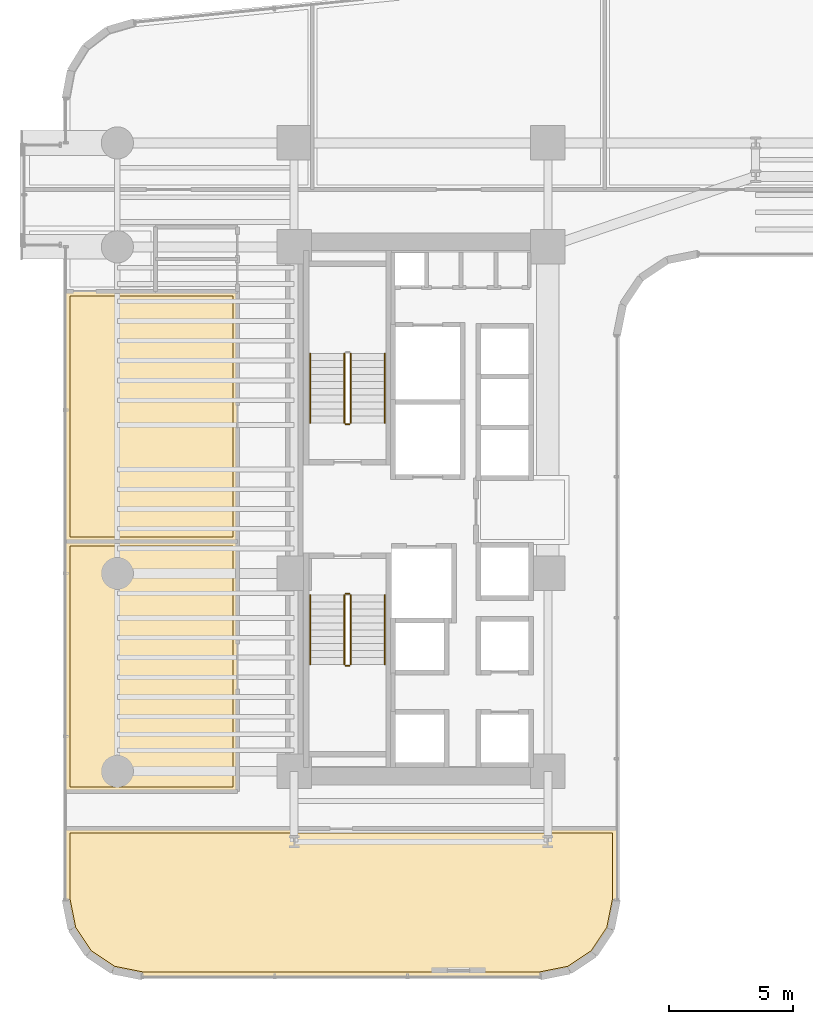
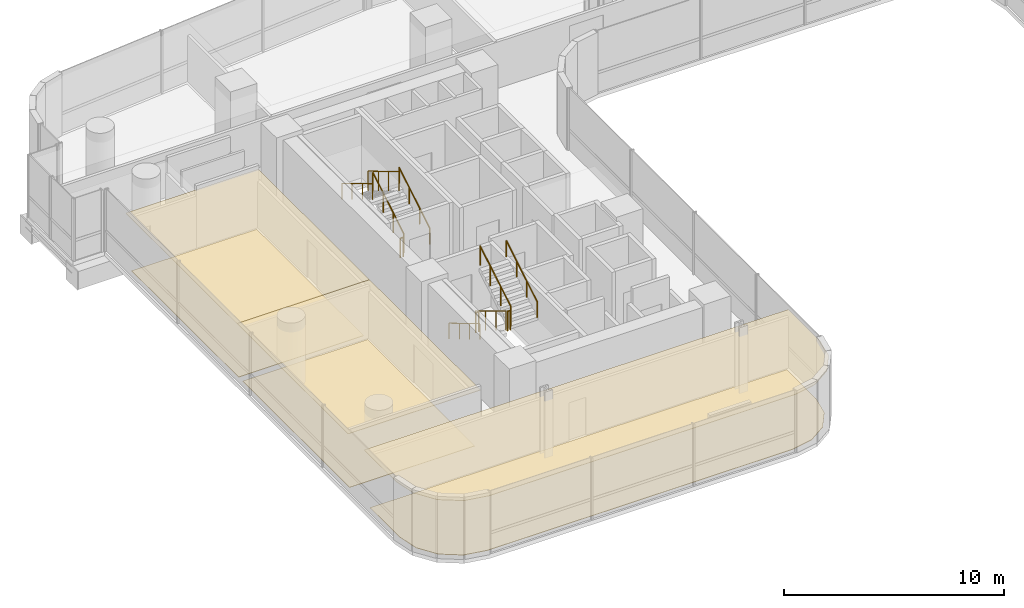
# One storey, part 37 of 40: 11 railings, 6 coverings.
"""IFC4 building model written with IfcOpenShell, lengths in metres."""

from ifc_helpers import new_model, si_unit, direction, frame, origin, origin_2d, place, context, subcontext, project, spatial, polyline, circle, outline, extrude, material, layer, layer_set, type_object, element, save


model = new_model("IFC4")

# Units and contexts
model_context = context("Model", 3, precision=1e-05, world=origin(), true_north=direction((0.0, 1.0)))
body_context = subcontext(model_context, "Body", "Model", "MODEL_VIEW")
ifc_project = project(units=[si_unit("LENGTHUNIT", "METRE"), si_unit("AREAUNIT", "SQUARE_METRE"), si_unit("VOLUMEUNIT", "CUBIC_METRE"), si_unit("PLANEANGLEUNIT", "RADIAN"), si_unit("MASSUNIT", "GRAM", prefix="KILO")], contexts=[model_context])

# Site, building, storey
site_placement = place(None, origin())
site = spatial("IfcSite", under=ifc_project, at=site_placement, CompositionType="ELEMENT")
building_placement = place(site_placement, origin())
building = spatial("IfcBuilding", under=site, at=building_placement, Name="Valdorenza Pilgrim Sanctuary Tower", CompositionType="ELEMENT")
storey_placement = place(building_placement, frame((0.0, 0.0, 48.199951171875)))
storey = spatial("IfcBuildingStorey", under=building, at=storey_placement, Name="L11", CompositionType="ELEMENT", Elevation=48.199951171875)

# Coverings
ifc_material_1 = material(Name="Micro-perforated acoustic mineral ceiling tile", Category="gypsum")
ifc_layer_1 = layer(ifc_material_1, 0.02490234375, Name="Micro-perforated acoustic mineral ceiling tile")
ifc_layer_set_1 = layer_set([ifc_layer_1], Name="Micro-perforated acoustic mineral ceiling tile")
covering_type_1 = type_object("IfcCoveringType", Name="COV-CLG-ACU", PredefinedType="CEILING", material=ifc_layer_set_1)
covering_1_placement = place(storey_placement, frame((0.0, 0.0, 3.16015625)))
element("IfcCovering", 1, at=covering_1_placement, inside=storey, type_object=covering_type_1, Name="L11 Sacred Art Exhibition Gallery L11-W1 Acoustic Ceiling", PredefinedType="CEILING", context=body_context, shape_type="SweptSolid", body=[
    extrude(outline(polyline([(-24.93505859375, -11.419921875), (-24.93505859375, -11.42138671875), (-24.935302734375, -11.4228515625), (-24.935546875, -11.42431640625), (-24.93603515625, -11.42578125), (-24.936767578125, -11.427001953125), (-24.9375, -11.42822265625), (-24.9384765625, -11.429443359375), (-24.939453125, -11.4306640625), (-24.9404296875, -11.431640625), (-24.941650390625, -11.4326171875), (-24.94287109375, -11.43310546875), (-24.9443359375, -11.433837890625), (-24.945556640625, -11.434326171875), (-24.947021484375, -11.434814453125), (-24.948486328125, -11.434814453125), (-24.949951171875, -11.43505859375), (-31.889892578125, -11.43505859375), (-31.8916015625, -11.434814453125), (-31.892822265625, -11.434814453125), (-31.894287109375, -11.434326171875), (-31.895751953125, -11.433837890625), (-31.897216796875, -11.43310546875), (-31.898193359375, -11.4326171875), (-31.8994140625, -11.431640625), (-31.900634765625, -11.4306640625), (-31.901611328125, -11.429443359375), (-31.902587890625, -11.42822265625), (-31.9033203125, -11.427001953125), (-31.90380859375, -11.42578125), (-31.904296875, -11.42431640625), (-31.90478515625, -11.4228515625), (-31.90478515625, -11.42138671875), (-31.905029296875, -11.419921875), (-31.905029296875, -1.31005859375), (-31.90478515625, -1.30859375), (-31.90478515625, -1.30712890625), (-31.904296875, -1.3056640625), (-31.90380859375, -1.30419921875), (-31.9033203125, -1.302978515625), (-31.902587890625, -1.3017578125), (-31.901611328125, -1.300537109375), (-31.900634765625, -1.29931640625), (-31.8994140625, -1.29833984375), (-31.898193359375, -1.297607421875), (-31.897216796875, -1.296875), (-31.895751953125, -1.296142578125), (-31.894287109375, -1.295654296875), (-31.892822265625, -1.29541015625), (-31.8916015625, -1.295166015625), (-31.889892578125, -1.294921875), (-24.949951171875, -1.294921875), (-24.948486328125, -1.295166015625), (-24.947021484375, -1.29541015625), (-24.945556640625, -1.295654296875), (-24.9443359375, -1.296142578125), (-24.94287109375, -1.296875), (-24.941650390625, -1.297607421875), (-24.9404296875, -1.29833984375), (-24.939453125, -1.29931640625), (-24.9384765625, -1.300537109375), (-24.9375, -1.3017578125), (-24.936767578125, -1.302978515625), (-24.93603515625, -1.30419921875), (-24.935546875, -1.3056640625), (-24.935302734375, -1.30712890625), (-24.93505859375, -1.30859375), (-24.93505859375, -1.31005859375), (-24.93505859375, -11.419921875)])), origin(), (0.0, 0.0, 1.0), 0.02490234375),
])
covering_2_placement = place(storey_placement, frame((0.0, 0.0, 3.16015625)))
element("IfcCovering", 2, at=covering_2_placement, inside=storey, type_object=covering_type_1, Name="L11 Sacred Manuscript Archive L11-W2 Acoustic Ceiling", PredefinedType="CEILING", context=body_context, shape_type="SweptSolid", body=[
    extrude(outline(polyline([(-28.253662109375, 8.81298828125), (-28.253173828125, 8.81298828125), (-28.25146484375, 8.813232421875), (-28.25, 8.813232421875), (-28.24853515625, 8.81298828125), (-28.248291015625, 8.81298828125), (-24.949951171875, 8.81298828125), (-24.948486328125, 8.81298828125), (-24.947021484375, 8.812744140625), (-24.945556640625, 8.8125), (-24.9443359375, 8.81201171875), (-24.94287109375, 8.811279296875), (-24.941650390625, 8.810546875), (-24.9404296875, 8.8095703125), (-24.939453125, 8.80859375), (-24.9384765625, 8.8076171875), (-24.9375, 8.806396484375), (-24.936767578125, 8.80517578125), (-24.93603515625, 8.8037109375), (-24.935546875, 8.802490234375), (-24.935302734375, 8.80078125), (-24.93505859375, 8.799560546875), (-24.93505859375, 8.798095703125), (-24.93505859375, -1.30810546875), (-24.93505859375, -1.3095703125), (-24.935302734375, -1.310791015625), (-24.935546875, -1.3125), (-24.93603515625, -1.313720703125), (-24.936767578125, -1.315185546875), (-24.9375, -1.31640625), (-24.9384765625, -1.3173828125), (-24.939453125, -1.318603515625), (-24.9404296875, -1.319580078125), (-24.941650390625, -1.320556640625), (-24.94287109375, -1.3212890625), (-24.9443359375, -1.322021484375), (-24.945556640625, -1.322509765625), (-24.947021484375, -1.32275390625), (-24.948486328125, -1.322998046875), (-24.949951171875, -1.322998046875), (-31.889892578125, -1.322998046875), (-31.8916015625, -1.322998046875), (-31.892822265625, -1.32275390625), (-31.894287109375, -1.322509765625), (-31.895751953125, -1.322021484375), (-31.897216796875, -1.3212890625), (-31.898193359375, -1.320556640625), (-31.8994140625, -1.319580078125), (-31.900634765625, -1.318603515625), (-31.901611328125, -1.3173828125), (-31.902587890625, -1.31640625), (-31.9033203125, -1.315185546875), (-31.90380859375, -1.313720703125), (-31.904296875, -1.3125), (-31.90478515625, -1.310791015625), (-31.90478515625, -1.3095703125), (-31.905029296875, -1.30810546875), (-31.905029296875, 8.798095703125), (-31.90478515625, 8.799560546875), (-31.90478515625, 8.80078125), (-31.904296875, 8.802490234375), (-31.90380859375, 8.8037109375), (-31.9033203125, 8.80517578125), (-31.902587890625, 8.806396484375), (-31.901611328125, 8.8076171875), (-31.900634765625, 8.80859375), (-31.8994140625, 8.8095703125), (-31.898193359375, 8.810546875), (-31.897216796875, 8.811279296875), (-31.895751953125, 8.81201171875), (-31.894287109375, 8.8125), (-31.892822265625, 8.812744140625), (-31.8916015625, 8.81298828125), (-31.889892578125, 8.81298828125), (-28.253662109375, 8.81298828125)])), origin(), (0.0, 0.0, 1.0), 0.02490234375),
])
covering_3_placement = place(storey_placement, frame((0.0, 0.0, 3.16015625)))
element("IfcCovering", 3, at=covering_3_placement, inside=storey, type_object=covering_type_1, Name="L11 Pilgrim Scholar Office L11-S1 Acoustic Ceiling", PredefinedType="CEILING", context=body_context, shape_type="SweptSolid", body=[
    extrude(outline(polyline([(-9.594970703125, -15.789306640625), (-9.59521484375, -15.79052734375), (-9.59521484375, -15.7919921875), (-9.83251953125, -16.984619140625), (-9.8330078125, -16.986083984375), (-9.83349609375, -16.9873046875), (-9.833984375, -16.98876953125), (-9.834716796875, -16.989990234375), (-10.504150390625, -17.99169921875), (-10.5048828125, -17.992919921875), (-10.506103515625, -17.993896484375), (-10.507080078125, -17.9951171875), (-10.50830078125, -17.995849609375), (-11.510009765625, -18.665283203125), (-11.51123046875, -18.666015625), (-11.5126953125, -18.66650390625), (-11.513916015625, -18.6669921875), (-11.515380859375, -18.66748046875), (-12.7080078125, -18.90478515625), (-12.70947265625, -18.90478515625), (-12.710693359375, -18.905029296875), (-28.789306640625, -18.905029296875), (-28.79052734375, -18.90478515625), (-28.7919921875, -18.90478515625), (-29.984619140625, -18.66748046875), (-29.986083984375, -18.6669921875), (-29.9873046875, -18.66650390625), (-29.98876953125, -18.666015625), (-29.989990234375, -18.665283203125), (-30.99169921875, -17.995849609375), (-30.992919921875, -17.9951171875), (-30.993896484375, -17.993896484375), (-30.9951171875, -17.992919921875), (-30.995849609375, -17.99169921875), (-31.665283203125, -16.989990234375), (-31.666015625, -16.98876953125), (-31.66650390625, -16.9873046875), (-31.6669921875, -16.986083984375), (-31.66748046875, -16.984619140625), (-31.90478515625, -15.7919921875), (-31.90478515625, -15.79052734375), (-31.905029296875, -15.789306640625), (-31.905029296875, -12.919921875), (-31.90478515625, -12.91845703125), (-31.90478515625, -12.9169921875), (-31.904296875, -12.91552734375), (-31.90380859375, -12.914306640625), (-31.9033203125, -12.912841796875), (-31.902587890625, -12.91162109375), (-31.901611328125, -12.910400390625), (-31.900634765625, -12.909423828125), (-31.8994140625, -12.908447265625), (-31.898193359375, -12.907470703125), (-31.897216796875, -12.90673828125), (-31.895751953125, -12.906005859375), (-31.894287109375, -12.905517578125), (-31.892822265625, -12.9052734375), (-31.8916015625, -12.905029296875), (-31.889892578125, -12.905029296875), (-9.610107421875, -12.905029296875), (-9.6083984375, -12.905029296875), (-9.607177734375, -12.9052734375), (-9.605712890625, -12.905517578125), (-9.604248046875, -12.906005859375), (-9.602783203125, -12.90673828125), (-9.601806640625, -12.907470703125), (-9.6005859375, -12.908447265625), (-9.599365234375, -12.909423828125), (-9.598388671875, -12.910400390625), (-9.597412109375, -12.91162109375), (-9.5966796875, -12.912841796875), (-9.59619140625, -12.914306640625), (-9.595703125, -12.91552734375), (-9.59521484375, -12.9169921875), (-9.59521484375, -12.91845703125), (-9.594970703125, -12.919921875), (-9.594970703125, -15.789306640625)])), origin(), (0.0, 0.0, 1.0), 0.02490234375),
])
ifc_material_2 = material(Name="Honed travertine stone flooring", Category="masonry")
ifc_layer_2 = layer(ifc_material_2, 0.030029296875, Name="Honed travertine stone flooring")
ifc_layer_set_2 = layer_set([ifc_layer_2], Name="Honed travertine stone flooring")
covering_type_2 = type_object("IfcCoveringType", Name="COV-FLR-TRV", PredefinedType="FLOORING", material=ifc_layer_set_2)
covering_4_placement = place(storey_placement, origin())
element("IfcCovering", 4, at=covering_4_placement, inside=storey, type_object=covering_type_2, Name="L11 Sacred Art Exhibition Gallery L11-W1 Flooring", PredefinedType="FLOORING", context=body_context, shape_type="SweptSolid", body=[
    extrude(outline(polyline([(-25.1298828125, -11.239990234375), (-31.7099609375, -11.239990234375), (-31.7099609375, -1.489990234375), (-25.1298828125, -1.489990234375), (-25.1298828125, -11.239990234375)])), origin(), (0.0, 0.0, 1.0), 0.025146484375),
])
covering_5_placement = place(storey_placement, origin())
element("IfcCovering", 5, at=covering_5_placement, inside=storey, type_object=covering_type_2, Name="L11 Sacred Manuscript Archive L11-W2 Flooring", PredefinedType="FLOORING", context=body_context, shape_type="SweptSolid", body=[
    extrude(outline(polyline([(-28.250244140625, 8.617919921875), (-28.25, 8.617919921875), (-25.1298828125, 8.617919921875), (-25.1298828125, -1.1279296875), (-31.7099609375, -1.1279296875), (-31.7099609375, 8.617919921875), (-28.251953125, 8.617919921875), (-28.2509765625, 8.617919921875), (-28.250244140625, 8.617919921875)])), origin(), (0.0, 0.0, 1.0), 0.025146484375),
])
covering_6_placement = place(storey_placement, origin())
element("IfcCovering", 6, at=covering_6_placement, inside=storey, type_object=covering_type_2, Name="L11 Pilgrim Scholar Office L11-S1 Flooring", PredefinedType="FLOORING", context=body_context, shape_type="SweptSolid", body=[
    extrude(outline(polyline([(-9.7900390625, -15.771484375), (-10.016845703125, -16.911376953125), (-10.646484375, -17.853515625), (-11.588623046875, -18.483154296875), (-12.728515625, -18.7099609375), (-28.771484375, -18.7099609375), (-29.911376953125, -18.483154296875), (-30.853515625, -17.853515625), (-31.483154296875, -16.911376953125), (-31.7099609375, -15.771484375), (-31.7099609375, -13.10009765625), (-9.7900390625, -13.10009765625), (-9.7900390625, -15.771484375)])), origin(), (0.0, 0.0, 1.0), 0.025146484375),
])

# Railings
ifc_material_3 = material(Name="Stainless steel Grade 316", Category="steel")
railing_type_1 = type_object("IfcRailingType", Name="RLG-GRD-1120", PredefinedType="GUARDRAIL", material=ifc_material_3)
railing_1_placement = place(storey_placement, frame((-20.3701171875, 3.47998046875, 0.168212890625)))
element("IfcRailing", 7, at=railing_1_placement, inside=storey, type_object=railing_type_1, Name="L11 ST-A1 stair guard 1", PredefinedType="GUARDRAIL", context=body_context, shape_type="SweptSolid", body=[
    extrude(circle(Radius=0.02392578125, at=origin_2d()), frame((0.0, 0.0, 1.076171875), z_axis=(0.0, 0.857242210791, 0.514913383045), x_axis=(-1.0, 0.0, 0.0)), (0.0, 0.0, 1.0), 3.266357421875),
    extrude(circle(Radius=0.02099609375, at=origin_2d()), origin(), (0.0, 0.0, 1.0), 1.052001953125),
    extrude(circle(Radius=0.02099609375, at=origin_2d()), frame((0.0, 0.933349609375, 0.560546875)), (0.0, 0.0, 1.0), 1.052001953125),
    extrude(circle(Radius=0.02099609375, at=origin_2d()), frame((0.0, 1.86669921875, 1.121337890625)), (0.0, 0.0, 1.0), 1.052001953125),
    extrude(circle(Radius=0.02099609375, at=origin_2d()), frame((0.0, 2.800048828125, 1.681884765625)), (0.0, 0.0, 1.0), 1.052001953125),
])
railing_2_placement = place(storey_placement, frame((-20.6201171875, 6.280029296875, 2.018310546875)))
element("IfcRailing", 8, at=railing_2_placement, inside=storey, type_object=railing_type_1, Name="L11 ST-A1 stair guard 3", PredefinedType="GUARDRAIL", context=body_context, shape_type="SweptSolid", body=[
    extrude(circle(Radius=0.02392578125, at=origin_2d()), frame((0.0, 0.0, 1.076171875), z_axis=(0.0, -0.857275202839, 0.514858452973), x_axis=(1.0, 0.0, 0.0)), (0.0, 0.0, 1.0), 3.26611328125),
    extrude(circle(Radius=0.02099609375, at=origin_2d()), origin(), (0.0, 0.0, 1.0), 1.052001953125),
    extrude(circle(Radius=0.02099609375, at=origin_2d()), frame((0.0, -0.933349609375, 0.560546875)), (0.0, 0.0, 1.0), 1.052001953125),
    extrude(circle(Radius=0.02099609375, at=origin_2d()), frame((0.0, -1.86669921875, 1.12109375)), (0.0, 0.0, 1.0), 1.052001953125),
    extrude(circle(Radius=0.02099609375, at=origin_2d()), frame((0.0, -2.800048828125, 1.681640625)), (0.0, 0.0, 1.0), 1.052001953125),
])
railing_3_placement = place(storey_placement, frame((-20.419921875, 3.429931640625, 0.0)))
element("IfcRailing", 9, at=railing_3_placement, inside=storey, type_object=railing_type_1, Name="L11 ST-A1 stair guard 4", PredefinedType="GUARDRAIL", context=body_context, shape_type="SweptSolid", body=[
    extrude(circle(Radius=0.02392578125, at=origin_2d()), frame((0.0, 0.0, 1.076171875), z_axis=(-1.0, 0.0, 0.0), x_axis=(0.0, -1.0, 0.0)), (0.0, 0.0, 1.0), 0.150146484375),
    extrude(circle(Radius=0.02099609375, at=origin_2d()), origin(), (0.0, 0.0, 1.0), 1.052001953125),
    extrude(circle(Radius=0.02099609375, at=origin_2d()), frame((-0.150146484375, 0.0, 0.0)), (0.0, 0.0, 1.0), 1.052001953125),
])
railing_4_placement = place(storey_placement, frame((-20.6201171875, -3.47998046875, 0.168212890625)))
element("IfcRailing", 10, at=railing_4_placement, inside=storey, type_object=railing_type_1, Name="L11 ST-A2 stair guard 1", PredefinedType="GUARDRAIL", context=body_context, shape_type="SweptSolid", body=[
    extrude(circle(Radius=0.02392578125, at=origin_2d()), frame((0.0, 0.0, 1.076171875), z_axis=(0.0, -0.857242210791, 0.514913383045), x_axis=(1.0, 0.0, 0.0)), (0.0, 0.0, 1.0), 3.266357421875),
    extrude(circle(Radius=0.02099609375, at=origin_2d()), origin(), (0.0, 0.0, 1.0), 1.052001953125),
    extrude(circle(Radius=0.02099609375, at=origin_2d()), frame((0.0, -0.933349609375, 0.560546875)), (0.0, 0.0, 1.0), 1.052001953125),
    extrude(circle(Radius=0.02099609375, at=origin_2d()), frame((0.0, -1.86669921875, 1.121337890625)), (0.0, 0.0, 1.0), 1.052001953125),
    extrude(circle(Radius=0.02099609375, at=origin_2d()), frame((0.0, -2.800048828125, 1.681884765625)), (0.0, 0.0, 1.0), 1.052001953125),
])
railing_5_placement = place(storey_placement, frame((-20.570068359375, -6.330078125, 1.85009765625)))
element("IfcRailing", 11, at=railing_5_placement, inside=storey, type_object=railing_type_1, Name="L11 ST-A2 stair guard 2", PredefinedType="GUARDRAIL", context=body_context, shape_type="SweptSolid", body=[
    extrude(circle(Radius=0.02392578125, at=origin_2d()), frame((0.0, 0.0, 1.076171875), z_axis=(1.0, 0.0, 0.0), x_axis=(0.0, 1.0, 0.0)), (0.0, 0.0, 1.0), 0.150146484375),
    extrude(circle(Radius=0.02099609375, at=origin_2d()), origin(), (0.0, 0.0, 1.0), 1.052001953125),
    extrude(circle(Radius=0.02099609375, at=origin_2d()), frame((0.150146484375, 0.0, 0.0)), (0.0, 0.0, 1.0), 1.052001953125),
])
railing_6_placement = place(storey_placement, frame((-20.3701171875, -6.280029296875, 2.018310546875)))
element("IfcRailing", 12, at=railing_6_placement, inside=storey, type_object=railing_type_1, Name="L11 ST-A2 stair guard 3", PredefinedType="GUARDRAIL", context=body_context, shape_type="SweptSolid", body=[
    extrude(circle(Radius=0.02392578125, at=origin_2d()), frame((0.0, 0.0, 1.076171875), z_axis=(0.0, 0.857275202839, 0.514858452973), x_axis=(-1.0, 0.0, 0.0)), (0.0, 0.0, 1.0), 3.26611328125),
    extrude(circle(Radius=0.02099609375, at=origin_2d()), origin(), (0.0, 0.0, 1.0), 1.052001953125),
    extrude(circle(Radius=0.02099609375, at=origin_2d()), frame((0.0, 0.933349609375, 0.560546875)), (0.0, 0.0, 1.0), 1.052001953125),
    extrude(circle(Radius=0.02099609375, at=origin_2d()), frame((0.0, 1.86669921875, 1.12109375)), (0.0, 0.0, 1.0), 1.052001953125),
    extrude(circle(Radius=0.02099609375, at=origin_2d()), frame((0.0, 2.800048828125, 1.681640625)), (0.0, 0.0, 1.0), 1.052001953125),
])
railing_7_placement = place(storey_placement, frame((-20.570068359375, -3.429931640625, 0.0)))
element("IfcRailing", 13, at=railing_7_placement, inside=storey, type_object=railing_type_1, Name="L11 ST-A2 stair guard 4", PredefinedType="GUARDRAIL", context=body_context, shape_type="SweptSolid", body=[
    extrude(circle(Radius=0.02392578125, at=origin_2d()), frame((0.0, 0.0, 1.076171875), z_axis=(1.0, 0.0, 0.0), x_axis=(0.0, 1.0, 0.0)), (0.0, 0.0, 1.0), 0.150146484375),
    extrude(circle(Radius=0.02099609375, at=origin_2d()), origin(), (0.0, 0.0, 1.0), 1.052001953125),
    extrude(circle(Radius=0.02099609375, at=origin_2d()), frame((0.150146484375, 0.0, 0.0)), (0.0, 0.0, 1.0), 1.052001953125),
])
ifc_material_4 = material(Name="Brushed stainless steel Grade 316", Category="steel")
railing_type_2 = type_object("IfcRailingType", Name="RLG-HND-920", PredefinedType="HANDRAIL", material=ifc_material_4)
railing_8_placement = place(storey_placement, frame((-18.989990234375, 3.47998046875, 0.168212890625)))
element("IfcRailing", 14, at=railing_8_placement, inside=storey, type_object=railing_type_2, Name="L11 ST-A1 stair handrail 1", PredefinedType="HANDRAIL", context=body_context, shape_type="SweptSolid", body=[
    extrude(circle(Radius=0.02392578125, at=origin_2d()), frame((0.0, 0.0, 0.8759765625), z_axis=(0.0, 0.857242210791, 0.514913383045), x_axis=(-1.0, 0.0, 0.0)), (0.0, 0.0, 1.0), 3.266357421875),
    extrude(circle(Radius=0.02099609375, at=origin_2d()), origin(), (0.0, 0.0, 1.0), 0.851806640625),
    extrude(circle(Radius=0.02099609375, at=origin_2d()), frame((0.0, 0.933349609375, 0.560546875)), (0.0, 0.0, 1.0), 0.851806640625),
    extrude(circle(Radius=0.02099609375, at=origin_2d()), frame((0.0, 1.86669921875, 1.121337890625)), (0.0, 0.0, 1.0), 0.851806640625),
    extrude(circle(Radius=0.02099609375, at=origin_2d()), frame((0.0, 2.800048828125, 1.681884765625)), (0.0, 0.0, 1.0), 0.851806640625),
])
railing_9_placement = place(storey_placement, frame((-22.0, 6.280029296875, 2.018310546875)))
element("IfcRailing", 15, at=railing_9_placement, inside=storey, type_object=railing_type_2, Name="L11 ST-A1 stair handrail 2", PredefinedType="HANDRAIL", context=body_context, shape_type="SweptSolid", body=[
    extrude(circle(Radius=0.02392578125, at=origin_2d()), frame((0.0, 0.0, 0.8759765625), z_axis=(0.0, -0.857275202839, 0.514858452973), x_axis=(1.0, 0.0, 0.0)), (0.0, 0.0, 1.0), 3.26611328125),
    extrude(circle(Radius=0.02099609375, at=origin_2d()), origin(), (0.0, 0.0, 1.0), 0.851806640625),
    extrude(circle(Radius=0.02099609375, at=origin_2d()), frame((0.0, -0.933349609375, 0.560546875)), (0.0, 0.0, 1.0), 0.851806640625),
    extrude(circle(Radius=0.02099609375, at=origin_2d()), frame((0.0, -1.86669921875, 1.12109375)), (0.0, 0.0, 1.0), 0.851806640625),
    extrude(circle(Radius=0.02099609375, at=origin_2d()), frame((0.0, -2.800048828125, 1.681640625)), (0.0, 0.0, 1.0), 0.851806640625),
])
railing_10_placement = place(storey_placement, frame((-22.0, -3.47998046875, 0.168212890625)))
element("IfcRailing", 16, at=railing_10_placement, inside=storey, type_object=railing_type_2, Name="L11 ST-A2 stair handrail 1", PredefinedType="HANDRAIL", context=body_context, shape_type="SweptSolid", body=[
    extrude(circle(Radius=0.02392578125, at=origin_2d()), frame((0.0, 0.0, 0.8759765625), z_axis=(0.0, -0.857242210791, 0.514913383045), x_axis=(1.0, 0.0, 0.0)), (0.0, 0.0, 1.0), 3.266357421875),
    extrude(circle(Radius=0.02099609375, at=origin_2d()), origin(), (0.0, 0.0, 1.0), 0.851806640625),
    extrude(circle(Radius=0.02099609375, at=origin_2d()), frame((0.0, -0.933349609375, 0.560546875)), (0.0, 0.0, 1.0), 0.851806640625),
    extrude(circle(Radius=0.02099609375, at=origin_2d()), frame((0.0, -1.86669921875, 1.121337890625)), (0.0, 0.0, 1.0), 0.851806640625),
    extrude(circle(Radius=0.02099609375, at=origin_2d()), frame((0.0, -2.800048828125, 1.681884765625)), (0.0, 0.0, 1.0), 0.851806640625),
])
railing_11_placement = place(storey_placement, frame((-18.989990234375, -6.280029296875, 2.018310546875)))
element("IfcRailing", 17, at=railing_11_placement, inside=storey, type_object=railing_type_2, Name="L11 ST-A2 stair handrail 2", PredefinedType="HANDRAIL", context=body_context, shape_type="SweptSolid", body=[
    extrude(circle(Radius=0.02392578125, at=origin_2d()), frame((0.0, 0.0, 0.8759765625), z_axis=(0.0, 0.857275202839, 0.514858452973), x_axis=(-1.0, 0.0, 0.0)), (0.0, 0.0, 1.0), 3.26611328125),
    extrude(circle(Radius=0.02099609375, at=origin_2d()), origin(), (0.0, 0.0, 1.0), 0.851806640625),
    extrude(circle(Radius=0.02099609375, at=origin_2d()), frame((0.0, 0.933349609375, 0.560546875)), (0.0, 0.0, 1.0), 0.851806640625),
    extrude(circle(Radius=0.02099609375, at=origin_2d()), frame((0.0, 1.86669921875, 1.12109375)), (0.0, 0.0, 1.0), 0.851806640625),
    extrude(circle(Radius=0.02099609375, at=origin_2d()), frame((0.0, 2.800048828125, 1.681640625)), (0.0, 0.0, 1.0), 0.851806640625),
])

save(model, "model.ifc")
